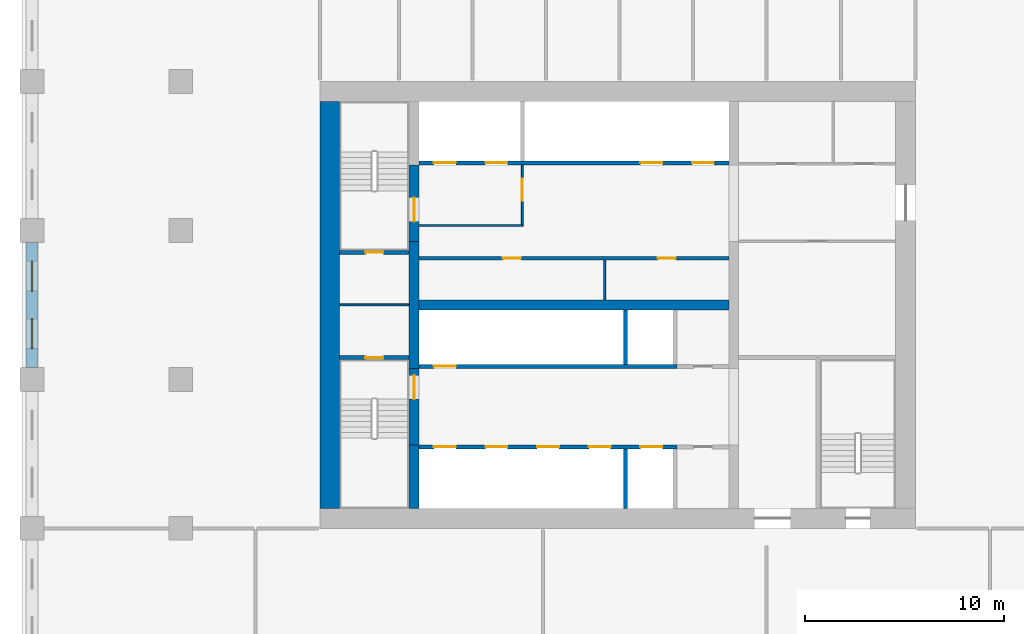
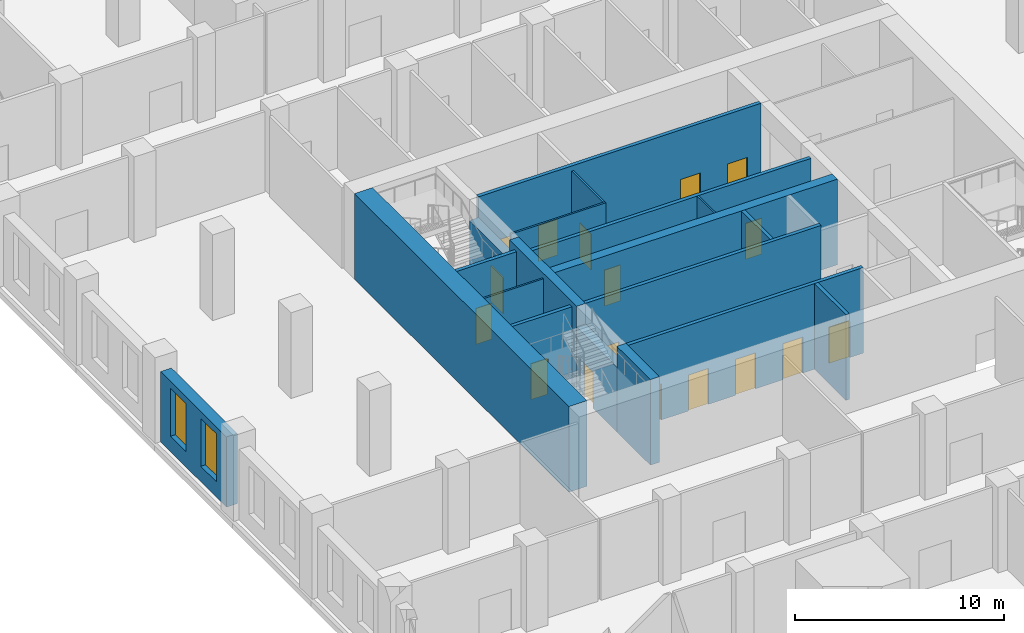
# One storey, part 5 of 32: 19 walls, 17 doors, 2 windows, 19 openings.
"""IFC4 building model written with IfcOpenShell, lengths in metres."""

from ifc_helpers import new_model, si_unit, direction, frame, frame_2d, origin, place, context, subcontext, project, spatial, rectangle, extrude, material, layer, layer_set, type_object, element, fill, save


model = new_model("IFC4")

# Units and contexts
model_context = context("Model", 3, precision=1e-05, world=origin(), true_north=direction((0.0, 1.0)))
body_context = subcontext(model_context, "Body", "Model", "MODEL_VIEW")
ifc_project = project(units=[si_unit("LENGTHUNIT", "METRE"), si_unit("AREAUNIT", "SQUARE_METRE"), si_unit("VOLUMEUNIT", "CUBIC_METRE"), si_unit("PLANEANGLEUNIT", "RADIAN"), si_unit("MASSUNIT", "GRAM", prefix="KILO")], contexts=[model_context])

# Site, building, storey
site_placement = place(None, origin())
site = spatial("IfcSite", under=ifc_project, at=site_placement, CompositionType="ELEMENT")
building_placement = place(site_placement, origin())
building = spatial("IfcBuilding", under=site, at=building_placement, Name="Tamorin Gate", CompositionType="ELEMENT")
storey_placement = place(building_placement, frame((0.0, 0.0, 18.5)))
storey = spatial("IfcBuildingStorey", under=building, at=storey_placement, Name="L03", CompositionType="ELEMENT", Elevation=18.5)

# Wall, openings, doors
ifc_material_1 = material(Name="Concrete C32/40", Category="concrete")
ifc_layer_1 = layer(ifc_material_1, 0.199951171875)
ifc_layer_set_1 = layer_set([ifc_layer_1], Name="Lift lobby face wall 200 EI 120")
wall_type_1 = type_object("IfcWallType", Name="Lift lobby face wall 200 EI 120", PredefinedType="SOLIDWALL", material=ifc_layer_set_1)
wall_1_placement = place(storey_placement, frame((35.0, 64.10009765625, 0.0), z_axis=(0.0, 0.0, 1.0), x_axis=(1.0, 0.0, 0.0)))
wall_1 = element("IfcWall", 1, at=wall_1_placement, inside=storey, type_object=wall_type_1, Name="Lift lobby face wall", PredefinedType="SOLIDWALL", context=body_context, shape_type="SweptSolid", body=[
    extrude(rectangle(XDim=13.0, YDim=0.199951171875, at=frame_2d((6.5, 0.0))), origin(), (0.0, 0.0, 1.0), 5.0),
])
opening_1_placement = place(wall_1_placement, frame((0.75, 0.0, 0.0)))
opening_1 = element("IfcOpeningElement", 2, at=opening_1_placement, cuts=wall_1, Name="Opening LD1", PredefinedType="OPENING", context=body_context, shape_type="SweptSolid", body=[
    extrude(rectangle(XDim=1.10009765625, YDim=2.10009765625, at=frame_2d((0.550048828125, 1.050048828125))), frame((0.0, 0.10986328125, 0.0), z_axis=(0.0, -1.0, 0.0), x_axis=(1.0, 0.0, 0.0)), (0.0, 0.0, 1.0), 0.219970703125),
])
opening_2_placement = place(wall_1_placement, frame((3.35009765625, 0.0, 0.0)))
opening_2 = element("IfcOpeningElement", 3, at=opening_2_placement, cuts=wall_1, Name="Opening LD2", PredefinedType="OPENING", context=body_context, shape_type="SweptSolid", body=[
    extrude(rectangle(XDim=1.10009765625, YDim=2.10009765625, at=frame_2d((0.550048828125, 1.050048828125))), frame((0.0, 0.10986328125, 0.0), z_axis=(0.0, -1.0, 0.0), x_axis=(1.0, 0.0, 0.0)), (0.0, 0.0, 1.0), 0.219970703125),
])
opening_3_placement = place(wall_1_placement, frame((5.949951171875, 0.0, 0.0)))
opening_3 = element("IfcOpeningElement", 4, at=opening_3_placement, cuts=wall_1, Name="Opening LD3", PredefinedType="OPENING", context=body_context, shape_type="SweptSolid", body=[
    extrude(rectangle(XDim=1.10009765625, YDim=2.10009765625, at=frame_2d((0.550048828125, 1.050048828125))), frame((0.0, 0.10986328125, 0.0), z_axis=(0.0, -1.0, 0.0), x_axis=(1.0, 0.0, 0.0)), (0.0, 0.0, 1.0), 0.219970703125),
])
opening_4_placement = place(wall_1_placement, frame((8.550048828125, 0.0, 0.0)))
opening_4 = element("IfcOpeningElement", 5, at=opening_4_placement, cuts=wall_1, Name="Opening LD4", PredefinedType="OPENING", context=body_context, shape_type="SweptSolid", body=[
    extrude(rectangle(XDim=1.10009765625, YDim=2.10009765625, at=frame_2d((0.550048828125, 1.050048828125))), frame((0.0, 0.10986328125, 0.0), z_axis=(0.0, -1.0, 0.0), x_axis=(1.0, 0.0, 0.0)), (0.0, 0.0, 1.0), 0.219970703125),
])
opening_5_placement = place(wall_1_placement, frame((11.14990234375, 0.0, 0.0)))
opening_5 = element("IfcOpeningElement", 6, at=opening_5_placement, cuts=wall_1, Name="Opening LD5", PredefinedType="OPENING", context=body_context, shape_type="SweptSolid", body=[
    extrude(rectangle(XDim=1.10009765625, YDim=2.10009765625, at=frame_2d((0.550048828125, 1.050048828125))), frame((0.0, 0.10986328125, 0.0), z_axis=(0.0, -1.0, 0.0), x_axis=(1.0, 0.0, 0.0)), (0.0, 0.0, 1.0), 0.219970703125),
])
ifc_material_2 = material(Name="Stainless steel sliding door", Category="steel")
door_type_1 = type_object("IfcDoorType", Name="Lift landing door 1100 x 2100 E 90", OperationType="DOUBLE_DOOR_SLIDING", PredefinedType="DOOR", material=ifc_material_2)
door_1_placement = place(opening_1_placement, origin())
door_1 = element("IfcDoor", 7, at=door_1_placement, inside=storey, type_object=door_type_1, Name="LR1 landing door", OperationType="DOUBLE_DOOR_SLIDING", OverallHeight=2.10009765625, OverallWidth=1.10009765625, PredefinedType="DOOR", context=body_context, shape_type="SweptSolid", body=[
    extrude(rectangle(XDim=1.10009765625, YDim=2.10009765625, at=frame_2d((0.550048828125, 1.050048828125))), frame((0.0, 0.02490234375, 0.0), z_axis=(0.0, -1.0, 0.0), x_axis=(1.0, 0.0, 0.0)), (0.0, 0.0, 1.0), 0.050048828125),
])
fill(opening_1, door_1)
door_2_placement = place(opening_2_placement, origin())
door_2 = element("IfcDoor", 8, at=door_2_placement, inside=storey, type_object=door_type_1, Name="LR2 landing door", OperationType="DOUBLE_DOOR_SLIDING", OverallHeight=2.10009765625, OverallWidth=1.10009765625, PredefinedType="DOOR", context=body_context, shape_type="SweptSolid", body=[
    extrude(rectangle(XDim=1.10009765625, YDim=2.10009765625, at=frame_2d((0.550048828125, 1.050048828125))), frame((0.0, 0.02490234375, 0.0), z_axis=(0.0, -1.0, 0.0), x_axis=(1.0, 0.0, 0.0)), (0.0, 0.0, 1.0), 0.050048828125),
])
fill(opening_2, door_2)
door_3_placement = place(opening_3_placement, origin())
door_3 = element("IfcDoor", 9, at=door_3_placement, inside=storey, type_object=door_type_1, Name="LR3 landing door", OperationType="DOUBLE_DOOR_SLIDING", OverallHeight=2.10009765625, OverallWidth=1.10009765625, PredefinedType="DOOR", context=body_context, shape_type="SweptSolid", body=[
    extrude(rectangle(XDim=1.10009765625, YDim=2.10009765625, at=frame_2d((0.550048828125, 1.050048828125))), frame((0.0, 0.02490234375, 0.0), z_axis=(0.0, -1.0, 0.0), x_axis=(1.0, 0.0, 0.0)), (0.0, 0.0, 1.0), 0.050048828125),
])
fill(opening_3, door_3)
door_4_placement = place(opening_4_placement, origin())
door_4 = element("IfcDoor", 10, at=door_4_placement, inside=storey, type_object=door_type_1, Name="LR4 landing door", OperationType="DOUBLE_DOOR_SLIDING", OverallHeight=2.10009765625, OverallWidth=1.10009765625, PredefinedType="DOOR", context=body_context, shape_type="SweptSolid", body=[
    extrude(rectangle(XDim=1.10009765625, YDim=2.10009765625, at=frame_2d((0.550048828125, 1.050048828125))), frame((0.0, 0.02490234375, 0.0), z_axis=(0.0, -1.0, 0.0), x_axis=(1.0, 0.0, 0.0)), (0.0, 0.0, 1.0), 0.050048828125),
])
fill(opening_4, door_4)
door_5_placement = place(opening_5_placement, origin())
door_5 = element("IfcDoor", 11, at=door_5_placement, inside=storey, type_object=door_type_1, Name="LR5 landing door", OperationType="DOUBLE_DOOR_SLIDING", OverallHeight=2.10009765625, OverallWidth=1.10009765625, PredefinedType="DOOR", context=body_context, shape_type="SweptSolid", body=[
    extrude(rectangle(XDim=1.10009765625, YDim=2.10009765625, at=frame_2d((0.550048828125, 1.050048828125))), frame((0.0, 0.02490234375, 0.0), z_axis=(0.0, -1.0, 0.0), x_axis=(1.0, 0.0, 0.0)), (0.0, 0.0, 1.0), 0.050048828125),
])
fill(opening_5, door_5)

# Wall, opening, door
wall_2_placement = place(storey_placement, frame((35.0, 68.14990234375, 0.0), z_axis=(0.0, 0.0, 1.0), x_axis=(1.0, 0.0, 0.0)))
wall_2 = element("IfcWall", 12, at=wall_2_placement, inside=storey, type_object=wall_type_1, Name="Lift lobby face wall", PredefinedType="SOLIDWALL", context=body_context, shape_type="SweptSolid", body=[
    extrude(rectangle(XDim=13.0, YDim=0.199951171875, at=frame_2d((6.5, 0.0))), origin(), (0.0, 0.0, 1.0), 5.0),
])
opening_6_placement = place(wall_2_placement, frame((0.75, 0.0, 0.0)))
opening_6 = element("IfcOpeningElement", 13, at=opening_6_placement, cuts=wall_2, Name="Opening LD6", PredefinedType="OPENING", context=body_context, shape_type="SweptSolid", body=[
    extrude(rectangle(XDim=1.10009765625, YDim=2.10009765625, at=frame_2d((0.550048828125, 1.050048828125))), frame((0.0, 0.10986328125, 0.0), z_axis=(0.0, -1.0, 0.0), x_axis=(1.0, 0.0, 0.0)), (0.0, 0.0, 1.0), 0.219970703125),
])
door_6_placement = place(opening_6_placement, origin())
door_6 = element("IfcDoor", 14, at=door_6_placement, inside=storey, type_object=door_type_1, Name="LR6 landing door", OperationType="DOUBLE_DOOR_SLIDING", OverallHeight=2.10009765625, OverallWidth=1.10009765625, PredefinedType="DOOR", context=body_context, shape_type="SweptSolid", body=[
    extrude(rectangle(XDim=1.10009765625, YDim=2.10009765625, at=frame_2d((0.550048828125, 1.050048828125))), frame((0.0, 0.02490234375, 0.0), z_axis=(0.0, -1.0, 0.0), x_axis=(1.0, 0.0, 0.0)), (0.0, 0.0, 1.0), 0.050048828125),
])
fill(opening_6, door_6)

# Wall, openings, doors
wall_3_placement = place(storey_placement, frame((35.0, 78.39990234375, 0.0), z_axis=(0.0, 0.0, 1.0), x_axis=(1.0, 0.0, 0.0)))
wall_3 = element("IfcWall", 15, at=wall_3_placement, inside=storey, type_object=wall_type_1, Name="Lift lobby face wall", PredefinedType="SOLIDWALL", context=body_context, shape_type="SweptSolid", body=[
    extrude(rectangle(XDim=15.60009765625, YDim=0.199951171875, at=frame_2d((7.800048828125, 0.0))), origin(), (0.0, 0.0, 1.0), 5.0),
])
opening_7_placement = place(wall_3_placement, frame((0.75, 0.0, 0.0)))
opening_7 = element("IfcOpeningElement", 16, at=opening_7_placement, cuts=wall_3, Name="Opening LD17", PredefinedType="OPENING", context=body_context, shape_type="SweptSolid", body=[
    extrude(rectangle(XDim=1.10009765625, YDim=2.10009765625, at=frame_2d((0.550048828125, 1.050048828125))), frame((0.0, 0.10986328125, 0.0), z_axis=(0.0, -1.0, 0.0), x_axis=(1.0, 0.0, 0.0)), (0.0, 0.0, 1.0), 0.219970703125),
])
opening_8_placement = place(wall_3_placement, frame((3.35009765625, 0.0, 0.0)))
opening_8 = element("IfcOpeningElement", 17, at=opening_8_placement, cuts=wall_3, Name="Opening LD18", PredefinedType="OPENING", context=body_context, shape_type="SweptSolid", body=[
    extrude(rectangle(XDim=1.10009765625, YDim=2.10009765625, at=frame_2d((0.550048828125, 1.050048828125))), frame((0.0, 0.10986328125, 0.0), z_axis=(0.0, -1.0, 0.0), x_axis=(1.0, 0.0, 0.0)), (0.0, 0.0, 1.0), 0.219970703125),
])
opening_9_placement = place(wall_3_placement, frame((11.14990234375, 0.0, 0.0)))
opening_9 = element("IfcOpeningElement", 18, at=opening_9_placement, cuts=wall_3, Name="Opening LD21", PredefinedType="OPENING", context=body_context, shape_type="SweptSolid", body=[
    extrude(rectangle(XDim=1.10009765625, YDim=2.10009765625, at=frame_2d((0.550048828125, 1.050048828125))), frame((0.0, 0.10986328125, 0.0), z_axis=(0.0, -1.0, 0.0), x_axis=(1.0, 0.0, 0.0)), (0.0, 0.0, 1.0), 0.219970703125),
])
opening_10_placement = place(wall_3_placement, frame((13.75, 0.0, 0.0)))
opening_10 = element("IfcOpeningElement", 19, at=opening_10_placement, cuts=wall_3, Name="Opening LD22", PredefinedType="OPENING", context=body_context, shape_type="SweptSolid", body=[
    extrude(rectangle(XDim=1.10009765625, YDim=2.10009765625, at=frame_2d((0.550048828125, 1.050048828125))), frame((0.0, 0.10986328125, 0.0), z_axis=(0.0, -1.0, 0.0), x_axis=(1.0, 0.0, 0.0)), (0.0, 0.0, 1.0), 0.219970703125),
])
door_7_placement = place(opening_7_placement, origin())
door_7 = element("IfcDoor", 20, at=door_7_placement, inside=storey, type_object=door_type_1, Name="FF1 landing door", OperationType="DOUBLE_DOOR_SLIDING", OverallHeight=2.10009765625, OverallWidth=1.10009765625, PredefinedType="DOOR", context=body_context, shape_type="SweptSolid", body=[
    extrude(rectangle(XDim=1.10009765625, YDim=2.10009765625, at=frame_2d((0.550048828125, 1.050048828125))), frame((0.0, 0.02490234375, 0.0), z_axis=(0.0, -1.0, 0.0), x_axis=(1.0, 0.0, 0.0)), (0.0, 0.0, 1.0), 0.050048828125),
])
fill(opening_7, door_7)
door_8_placement = place(opening_8_placement, origin())
door_8 = element("IfcDoor", 21, at=door_8_placement, inside=storey, type_object=door_type_1, Name="FF2 landing door", OperationType="DOUBLE_DOOR_SLIDING", OverallHeight=2.10009765625, OverallWidth=1.10009765625, PredefinedType="DOOR", context=body_context, shape_type="SweptSolid", body=[
    extrude(rectangle(XDim=1.10009765625, YDim=2.10009765625, at=frame_2d((0.550048828125, 1.050048828125))), frame((0.0, 0.02490234375, 0.0), z_axis=(0.0, -1.0, 0.0), x_axis=(1.0, 0.0, 0.0)), (0.0, 0.0, 1.0), 0.050048828125),
])
fill(opening_8, door_8)
door_9_placement = place(opening_9_placement, origin())
door_9 = element("IfcDoor", 22, at=door_9_placement, inside=storey, type_object=door_type_1, Name="SV1 landing door", OperationType="DOUBLE_DOOR_SLIDING", OverallHeight=2.10009765625, OverallWidth=1.10009765625, PredefinedType="DOOR", context=body_context, shape_type="SweptSolid", body=[
    extrude(rectangle(XDim=1.10009765625, YDim=2.10009765625, at=frame_2d((0.550048828125, 1.050048828125))), frame((0.0, 0.02490234375, 0.0), z_axis=(0.0, -1.0, 0.0), x_axis=(1.0, 0.0, 0.0)), (0.0, 0.0, 1.0), 0.050048828125),
])
fill(opening_9, door_9)
door_10_placement = place(opening_10_placement, origin())
door_10 = element("IfcDoor", 23, at=door_10_placement, inside=storey, type_object=door_type_1, Name="SV2 landing door", OperationType="DOUBLE_DOOR_SLIDING", OverallHeight=2.10009765625, OverallWidth=1.10009765625, PredefinedType="DOOR", context=body_context, shape_type="SweptSolid", body=[
    extrude(rectangle(XDim=1.10009765625, YDim=2.10009765625, at=frame_2d((0.550048828125, 1.050048828125))), frame((0.0, 0.02490234375, 0.0), z_axis=(0.0, -1.0, 0.0), x_axis=(1.0, 0.0, 0.0)), (0.0, 0.0, 1.0), 0.050048828125),
])
fill(opening_10, door_10)

# Walls
ifc_layer_2 = layer(ifc_material_1, 0.199951171875)
ifc_layer_set_2 = layer_set([ifc_layer_2], Name="Lift shaft wall 200 EI 120")
wall_type_2 = type_object("IfcWallType", Name="Lift shaft wall 200 EI 120", PredefinedType="SOLIDWALL", material=ifc_layer_set_2)
wall_4_placement = place(storey_placement, frame((45.39990234375, 61.0, 0.0), z_axis=(0.0, 0.0, 1.0), x_axis=(0.0, 1.0, 0.0)))
element("IfcWall", 24, at=wall_4_placement, inside=storey, type_object=wall_type_2, Name="Lift shaft wall", PredefinedType="SOLIDWALL", context=body_context, shape_type="SweptSolid", body=[
    extrude(rectangle(XDim=3.0, YDim=0.199951171875, at=frame_2d((1.5, 0.0))), origin(), (0.0, 0.0, 1.0), 5.0),
])
wall_5_placement = place(storey_placement, frame((45.39990234375, 68.25, 0.0), z_axis=(0.0, 0.0, 1.0), x_axis=(0.0, 1.0, 0.0)))
element("IfcWall", 25, at=wall_5_placement, inside=storey, type_object=wall_type_2, Name="Lift shaft wall", PredefinedType="SOLIDWALL", context=body_context, shape_type="SweptSolid", body=[
    extrude(rectangle(XDim=2.75, YDim=0.199951171875, at=frame_2d((1.375, 0.0))), origin(), (0.0, 0.0, 1.0), 5.0),
])
ifc_material_3 = material(Name="Fire-rated gypsum board partition")
ifc_layer_3 = layer(ifc_material_3, 0.10009765625)
ifc_layer_set_3 = layer_set([ifc_layer_3], Name="Lobby wall 100 EI 60")
wall_type_3 = type_object("IfcWallType", Name="Lobby wall 100 EI 60", PredefinedType="PARTITIONING", material=ifc_layer_set_3)
wall_6_placement = place(storey_placement, frame((35.0, 75.25, 0.0), z_axis=(0.0, 0.0, 1.0), x_axis=(1.0, 0.0, 0.0)))
element("IfcWall", 26, at=wall_6_placement, inside=storey, type_object=wall_type_3, Name="Firefighting lobby wall", PredefinedType="PARTITIONING", context=body_context, shape_type="SweptSolid", body=[
    extrude(rectangle(XDim=5.25, YDim=0.10009765625, at=frame_2d((2.625, 0.0))), origin(), (0.0, 0.0, 1.0), 4.699951171875),
])

# Wall, opening, door
wall_7_placement = place(storey_placement, frame((40.199951171875, 75.300048828125, 0.0), z_axis=(0.0, 0.0, 1.0), x_axis=(0.0, 1.0, 0.0)))
wall_7 = element("IfcWall", 27, at=wall_7_placement, inside=storey, type_object=wall_type_3, Name="Firefighting lobby wall", PredefinedType="PARTITIONING", context=body_context, shape_type="SweptSolid", body=[
    extrude(rectangle(XDim=3.0, YDim=0.10009765625, at=frame_2d((1.5, 0.0))), origin(), (0.0, 0.0, 1.0), 4.699951171875),
])
opening_11_placement = place(wall_7_placement, frame((1.199951171875, 0.0, 0.0)))
opening_11 = element("IfcOpeningElement", 28, at=opening_11_placement, cuts=wall_7, Name="Opening DF1", PredefinedType="OPENING", context=body_context, shape_type="SweptSolid", body=[
    extrude(rectangle(XDim=1.10009765625, YDim=2.10009765625, at=frame_2d((0.550048828125, 1.050048828125))), frame((0.0, 0.06005859375, 0.0), z_axis=(0.0, -1.0, 0.0), x_axis=(1.0, 0.0, 0.0)), (0.0, 0.0, 1.0), 0.1201171875),
])
ifc_material_4 = material(Name="Steel fire door", Category="steel")
door_type_2 = type_object("IfcDoorType", Name="Firefighting lobby door 1100 x 2100 EI 90", OperationType="SINGLE_SWING_LEFT", PredefinedType="DOOR", material=ifc_material_4)
door_11_placement = place(opening_11_placement, origin())
door_11 = element("IfcDoor", 29, at=door_11_placement, inside=storey, type_object=door_type_2, Name="Firefighting lobby door", OperationType="SINGLE_SWING_LEFT", OverallHeight=2.10009765625, OverallWidth=1.10009765625, PredefinedType="DOOR", context=body_context, shape_type="SweptSolid", body=[
    extrude(rectangle(XDim=1.10009765625, YDim=2.10009765625, at=frame_2d((0.550048828125, 1.050048828125))), frame((0.0, 0.02490234375, 0.0), z_axis=(0.0, -1.0, 0.0), x_axis=(1.0, 0.0, 0.0)), (0.0, 0.0, 1.0), 0.050048828125),
])
fill(opening_11, door_11)

# Wall, openings, windows
ifc_material_5 = material(Name="Precast concrete C40/50", Category="concrete")
ifc_layer_4 = layer(ifc_material_5, 0.60009765625)
ifc_layer_set_4 = layer_set([ifc_layer_4], Name="Precast concrete C40/50")
wall_type_4 = type_object("IfcWallType", Name="Precast plinth wall 600", PredefinedType="PARTITIONING", material=ifc_layer_set_4)
wall_8_placement = place(storey_placement, frame((15.5, 68.10009765625, 0.0), z_axis=(0.0, 0.0, 1.0), x_axis=(0.0, 1.0, 0.0)))
wall_8 = element("IfcWall", 30, at=wall_8_placement, inside=storey, type_object=wall_type_4, Name="Precast plinth wall 600 L03", PredefinedType="PARTITIONING", context=body_context, shape_type="SweptSolid", body=[
    extrude(rectangle(XDim=6.2998046875, YDim=0.60009765625, at=frame_2d((3.14990234375, 0.0))), origin(), (0.0, 0.0, 1.0), 4.10009765625),
])
opening_12_placement = place(wall_8_placement, frame((0.950927734375, 0.0, 0.89990234375)))
opening_12 = element("IfcOpeningElement", 31, at=opening_12_placement, cuts=wall_8, Name="Opening PWN5", PredefinedType="OPENING", context=body_context, shape_type="SweptSolid", body=[
    extrude(rectangle(XDim=1.5, YDim=2.800048828125, at=frame_2d((0.75, 1.39990234375))), frame((0.0, 0.31005859375, 0.0), z_axis=(0.0, -1.0, 0.0), x_axis=(1.0, 0.0, 0.0)), (0.0, 0.0, 1.0), 0.6201171875),
])
opening_13_placement = place(wall_8_placement, frame((3.84912109375, 0.0, 0.89990234375)))
opening_13 = element("IfcOpeningElement", 32, at=opening_13_placement, cuts=wall_8, Name="Opening PWN5", PredefinedType="OPENING", context=body_context, shape_type="SweptSolid", body=[
    extrude(rectangle(XDim=1.5, YDim=2.800048828125, at=frame_2d((0.75, 1.39990234375))), frame((0.0, 0.31005859375, 0.0), z_axis=(0.0, -1.0, 0.0), x_axis=(1.0, 0.0, 0.0)), (0.0, 0.0, 1.0), 0.6201171875),
])
ifc_material_6 = material(Name="Aluminium and glass", Category="aluminium")
window_type = type_object("IfcWindowType", Name="Plinth window 1500x2800", PartitioningType="DOUBLE_PANEL_VERTICAL", PredefinedType="WINDOW", material=ifc_material_6)
window_1_placement = place(opening_12_placement, origin())
window_1 = element("IfcWindow", 33, at=window_1_placement, inside=storey, type_object=window_type, Name="Plinth window 1500x2800", OverallHeight=2.800048828125, OverallWidth=1.5, PartitioningType="SINGLE_PANEL", PredefinedType="WINDOW", context=body_context, shape_type="SweptSolid", body=[
    extrude(rectangle(XDim=1.5, YDim=2.800048828125, at=frame_2d((0.75, 1.39990234375))), frame((0.0, 0.030029296875, 0.0), z_axis=(0.0, -1.0, 0.0), x_axis=(1.0, 0.0, 0.0)), (0.0, 0.0, 1.0), 0.06005859375),
])
fill(opening_12, window_1)
window_2_placement = place(opening_13_placement, origin())
window_2 = element("IfcWindow", 34, at=window_2_placement, inside=storey, type_object=window_type, Name="Plinth window 1500x2800", OverallHeight=2.800048828125, OverallWidth=1.5, PartitioningType="SINGLE_PANEL", PredefinedType="WINDOW", context=body_context, shape_type="SweptSolid", body=[
    extrude(rectangle(XDim=1.5, YDim=2.800048828125, at=frame_2d((0.75, 1.39990234375))), frame((0.0, 0.030029296875, 0.0), z_axis=(0.0, -1.0, 0.0), x_axis=(1.0, 0.0, 0.0)), (0.0, 0.0, 1.0), 0.06005859375),
])
fill(opening_13, window_2)

# Walls
ifc_material_7 = material(Name="Concrete C80/95", Category="concrete")
ifc_layer_5 = layer(ifc_material_7, 0.5)
ifc_layer_set_5 = layer_set([ifc_layer_5], Name="RC core internal wall 500 C80/95")
wall_type_5 = type_object("IfcWallType", Name="RC core internal wall 500 C80/95", PredefinedType="SHEAR", material=ifc_layer_set_5)
wall_9_placement = place(storey_placement, frame((35.0, 71.25, 0.0), z_axis=(0.0, 0.0, 1.0), x_axis=(1.0, 0.0, 0.0)))
element("IfcWall", 35, at=wall_9_placement, inside=storey, type_object=wall_type_5, Name="Core spine wall L03", PredefinedType="SHEAR", context=body_context, shape_type="SweptSolid", body=[
    extrude(rectangle(XDim=15.60009765625, YDim=0.5, at=frame_2d((7.800048828125, 0.0))), origin(), (0.0, 0.0, 1.0), 5.0),
])
wall_10_placement = place(storey_placement, frame((34.75, 61.0, 0.0), z_axis=(0.0, 0.0, 1.0), x_axis=(0.0, 1.0, 0.0)))
element("IfcWall", 36, at=wall_10_placement, inside=storey, type_object=wall_type_5, Name="Core cross wall L03", PredefinedType="SHEAR", context=body_context, shape_type="SweptSolid", body=[
    extrude(rectangle(XDim=3.199951171875, YDim=0.5, at=frame_2d((1.60009765625, 0.0))), origin(), (0.0, 0.0, 1.0), 5.0),
])
wall_11_placement = place(storey_placement, frame((34.75, 68.050048828125, 0.0), z_axis=(0.0, 0.0, 1.0), x_axis=(0.0, 1.0, 0.0)))
element("IfcWall", 37, at=wall_11_placement, inside=storey, type_object=wall_type_5, Name="Core cross wall L03", PredefinedType="SHEAR", context=body_context, shape_type="SweptSolid", body=[
    extrude(rectangle(XDim=6.39990234375, YDim=0.5, at=frame_2d((3.199951171875, 0.0))), origin(), (0.0, 0.0, 1.0), 5.0),
])
ifc_layer_6 = layer(ifc_material_7, 1.0)
ifc_layer_set_6 = layer_set([ifc_layer_6], Name="RC core wall 1000 C80/95")
wall_type_6 = type_object("IfcWallType", Name="RC core wall 1000 C80/95", PredefinedType="SHEAR", material=ifc_layer_set_6)
wall_12_placement = place(storey_placement, frame((30.5, 61.0, 0.0), z_axis=(0.0, 0.0, 1.0), x_axis=(0.0, 1.0, 0.0)))
element("IfcWall", 38, at=wall_12_placement, inside=storey, type_object=wall_type_6, Name="Core wall L03", PredefinedType="SHEAR", context=body_context, shape_type="SweptSolid", body=[
    extrude(rectangle(XDim=20.5, YDim=1.0, at=frame_2d((10.25, 0.0))), origin(), (0.0, 0.0, 1.0), 5.0),
])
ifc_layer_7 = layer(ifc_material_3, 0.10009765625)
ifc_layer_set_7 = layer_set([ifc_layer_7], Name="Riser partition 100 EI 120")
wall_type_7 = type_object("IfcWallType", Name="Riser partition 100 EI 120", PredefinedType="PARTITIONING", material=ifc_layer_set_7)
wall_13_placement = place(storey_placement, frame((31.0, 71.25, 0.0), z_axis=(0.0, 0.0, 1.0), x_axis=(1.0, 0.0, 0.0)))
element("IfcWall", 39, at=wall_13_placement, inside=storey, type_object=wall_type_7, Name="Riser partition", PredefinedType="PARTITIONING", context=body_context, shape_type="SweptSolid", body=[
    extrude(rectangle(XDim=3.5, YDim=0.10009765625, at=frame_2d((1.75, 0.0))), origin(), (0.0, 0.0, 1.0), 4.699951171875),
])

# Wall, openings, doors
ifc_material_8 = material(Name="Gypsum board partition")
ifc_layer_8 = layer(ifc_material_8, 0.199951171875)
ifc_layer_set_8 = layer_set([ifc_layer_8], Name="Service room face wall 200 EI 60")
wall_type_8 = type_object("IfcWallType", Name="Service room face wall 200 EI 60", PredefinedType="PARTITIONING", material=ifc_layer_set_8)
wall_14_placement = place(storey_placement, frame((35.0, 73.60009765625, 0.0), z_axis=(0.0, 0.0, 1.0), x_axis=(1.0, 0.0, 0.0)))
wall_14 = element("IfcWall", 40, at=wall_14_placement, inside=storey, type_object=wall_type_8, Name="Service room face wall", PredefinedType="PARTITIONING", context=body_context, shape_type="SweptSolid", body=[
    extrude(rectangle(XDim=15.60009765625, YDim=0.199951171875, at=frame_2d((7.800048828125, 0.0))), origin(), (0.0, 0.0, 1.0), 4.699951171875),
])
opening_14_placement = place(wall_14_placement, frame((4.22509765625, 0.0, 0.0)))
opening_14 = element("IfcOpeningElement", 41, at=opening_14_placement, cuts=wall_14, Name="Opening DK1", PredefinedType="OPENING", context=body_context, shape_type="SweptSolid", body=[
    extrude(rectangle(XDim=0.89990234375, YDim=2.10009765625, at=frame_2d((0.449951171875, 1.050048828125))), frame((0.0, 0.10986328125, 0.0), z_axis=(0.0, -1.0, 0.0), x_axis=(1.0, 0.0, 0.0)), (0.0, 0.0, 1.0), 0.219970703125),
])
opening_15_placement = place(wall_14_placement, frame((12.02490234375, 0.0, 0.0)))
opening_15 = element("IfcOpeningElement", 42, at=opening_15_placement, cuts=wall_14, Name="Opening DK1", PredefinedType="OPENING", context=body_context, shape_type="SweptSolid", body=[
    extrude(rectangle(XDim=0.89990234375, YDim=2.10009765625, at=frame_2d((0.449951171875, 1.050048828125))), frame((0.0, 0.10986328125, 0.0), z_axis=(0.0, -1.0, 0.0), x_axis=(1.0, 0.0, 0.0)), (0.0, 0.0, 1.0), 0.219970703125),
])
ifc_material_9 = material(Name="Timber fire door", Category="wood")
door_type_3 = type_object("IfcDoorType", Name="Service room door 900 x 2100 EI 60", OperationType="SINGLE_SWING_LEFT", PredefinedType="DOOR", material=ifc_material_9)
door_12_placement = place(opening_14_placement, origin())
door_12 = element("IfcDoor", 43, at=door_12_placement, inside=storey, type_object=door_type_3, Name="Door Pump room", OperationType="SINGLE_SWING_LEFT", OverallHeight=2.10009765625, OverallWidth=0.89990234375, PredefinedType="DOOR", context=body_context, shape_type="SweptSolid", body=[
    extrude(rectangle(XDim=0.89990234375, YDim=2.10009765625, at=frame_2d((0.449951171875, 1.050048828125))), frame((0.0, 0.02490234375, 0.0), z_axis=(0.0, -1.0, 0.0), x_axis=(1.0, 0.0, 0.0)), (0.0, 0.0, 1.0), 0.050048828125),
])
fill(opening_14, door_12)
door_13_placement = place(opening_15_placement, origin())
door_13 = element("IfcDoor", 44, at=door_13_placement, inside=storey, type_object=door_type_3, Name="Door Security store", OperationType="SINGLE_SWING_RIGHT", OverallHeight=2.10009765625, OverallWidth=0.89990234375, PredefinedType="DOOR", context=body_context, shape_type="SweptSolid", body=[
    extrude(rectangle(XDim=0.89990234375, YDim=2.10009765625, at=frame_2d((0.449951171875, 1.050048828125))), frame((0.0, 0.02490234375, 0.0), z_axis=(0.0, -1.0, 0.0), x_axis=(1.0, 0.0, 0.0)), (0.0, 0.0, 1.0), 0.050048828125),
])
fill(opening_15, door_13)

# Wall
ifc_layer_9 = layer(ifc_material_8, 0.10009765625)
ifc_layer_set_9 = layer_set([ifc_layer_9], Name="Service room partition 100 EI 60")
wall_type_9 = type_object("IfcWallType", Name="Service room partition 100 EI 60", PredefinedType="PARTITIONING", material=ifc_layer_set_9)
wall_15_placement = place(storey_placement, frame((44.35009765625, 71.5, 0.0), z_axis=(0.0, 0.0, 1.0), x_axis=(0.0, 1.0, 0.0)))
element("IfcWall", 45, at=wall_15_placement, inside=storey, type_object=wall_type_9, Name="Service room partition", PredefinedType="PARTITIONING", context=body_context, shape_type="SweptSolid", body=[
    extrude(rectangle(XDim=2.0, YDim=0.10009765625, at=frame_2d((1.0, 0.0))), origin(), (0.0, 0.0, 1.0), 4.699951171875),
])

# Wall, opening, door
ifc_material_10 = material(Name="Concrete C40/50", Category="concrete")
ifc_layer_10 = layer(ifc_material_10, 0.199951171875)
ifc_layer_set_10 = layer_set([ifc_layer_10], Name="Stair enclosure wall 200 EI 120 C40/50")
wall_type_10 = type_object("IfcWallType", Name="Stair enclosure wall 200 EI 120 C40/50", PredefinedType="SOLIDWALL", material=ifc_layer_set_10)
wall_16_placement = place(storey_placement, frame((31.0, 68.60009765625, 0.0), z_axis=(0.0, 0.0, 1.0), x_axis=(1.0, 0.0, 0.0)))
wall_16 = element("IfcWall", 46, at=wall_16_placement, inside=storey, type_object=wall_type_10, Name="Stair enclosure wall", PredefinedType="SOLIDWALL", context=body_context, shape_type="SweptSolid", body=[
    extrude(rectangle(XDim=3.5, YDim=0.199951171875, at=frame_2d((1.75, 0.0))), origin(), (0.0, 0.0, 1.0), 4.699951171875),
])
opening_16_placement = place(wall_16_placement, frame((1.300048828125, 0.0, 0.0)))
opening_16 = element("IfcOpeningElement", 47, at=opening_16_placement, cuts=wall_16, Name="Opening DR1", PredefinedType="OPENING", context=body_context, shape_type="SweptSolid", body=[
    extrude(rectangle(XDim=0.89990234375, YDim=2.10009765625, at=frame_2d((0.449951171875, 1.050048828125))), frame((0.0, 0.10986328125, 0.0), z_axis=(0.0, -1.0, 0.0), x_axis=(1.0, 0.0, 0.0)), (0.0, 0.0, 1.0), 0.219970703125),
])
door_type_4 = type_object("IfcDoorType", Name="Riser access door 900 x 2100 EI 120", OperationType="SINGLE_SWING_LEFT", PredefinedType="DOOR", material=ifc_material_4)
door_14_placement = place(opening_16_placement, origin())
door_14 = element("IfcDoor", 48, at=door_14_placement, inside=storey, type_object=door_type_4, Name="Electrical riser door", OperationType="SINGLE_SWING_LEFT", OverallHeight=2.10009765625, OverallWidth=0.89990234375, PredefinedType="DOOR", context=body_context, shape_type="SweptSolid", body=[
    extrude(rectangle(XDim=0.89990234375, YDim=2.10009765625, at=frame_2d((0.449951171875, 1.050048828125))), frame((0.0, 0.02490234375, 0.0), z_axis=(0.0, -1.0, 0.0), x_axis=(1.0, 0.0, 0.0)), (0.0, 0.0, 1.0), 0.050048828125),
])
fill(opening_16, door_14)

wall_17_placement = place(storey_placement, frame((31.0, 73.89990234375, 0.0), z_axis=(0.0, 0.0, 1.0), x_axis=(1.0, 0.0, 0.0)))
wall_17 = element("IfcWall", 49, at=wall_17_placement, inside=storey, type_object=wall_type_10, Name="Stair enclosure wall", PredefinedType="SOLIDWALL", context=body_context, shape_type="SweptSolid", body=[
    extrude(rectangle(XDim=3.5, YDim=0.199951171875, at=frame_2d((1.75, 0.0))), origin(), (0.0, 0.0, 1.0), 4.699951171875),
])
opening_17_placement = place(wall_17_placement, frame((1.300048828125, 0.0, 0.0)))
opening_17 = element("IfcOpeningElement", 50, at=opening_17_placement, cuts=wall_17, Name="Opening DR1", PredefinedType="OPENING", context=body_context, shape_type="SweptSolid", body=[
    extrude(rectangle(XDim=0.89990234375, YDim=2.10009765625, at=frame_2d((0.449951171875, 1.050048828125))), frame((0.0, 0.10986328125, 0.0), z_axis=(0.0, -1.0, 0.0), x_axis=(1.0, 0.0, 0.0)), (0.0, 0.0, 1.0), 0.219970703125),
])
door_15_placement = place(opening_17_placement, origin())
door_15 = element("IfcDoor", 51, at=door_15_placement, inside=storey, type_object=door_type_4, Name="Communications riser door", OperationType="SINGLE_SWING_RIGHT", OverallHeight=2.10009765625, OverallWidth=0.89990234375, PredefinedType="DOOR", context=body_context, shape_type="SweptSolid", body=[
    extrude(rectangle(XDim=0.89990234375, YDim=2.10009765625, at=frame_2d((0.449951171875, 1.050048828125))), frame((0.0, 0.02490234375, 0.0), z_axis=(0.0, -1.0, 0.0), x_axis=(1.0, 0.0, 0.0)), (0.0, 0.0, 1.0), 0.050048828125),
])
fill(opening_17, door_15)

ifc_layer_11 = layer(ifc_material_1, 0.5)
ifc_layer_set_11 = layer_set([ifc_layer_11], Name="Stair lobby infill wall 500 EI 120")
wall_type_11 = type_object("IfcWallType", Name="Stair lobby infill wall 500 EI 120", PredefinedType="SOLIDWALL", material=ifc_layer_set_11)
wall_18_placement = place(storey_placement, frame((34.75, 64.199951171875, 0.0), z_axis=(0.0, 0.0, 1.0), x_axis=(0.0, 1.0, 0.0)))
wall_18 = element("IfcWall", 52, at=wall_18_placement, inside=storey, type_object=wall_type_11, Name="Stair lobby infill wall", PredefinedType="SOLIDWALL", context=body_context, shape_type="SweptSolid", body=[
    extrude(rectangle(XDim=3.85009765625, YDim=0.5, at=frame_2d((1.925048828125, 0.0))), origin(), (0.0, 0.0, 1.0), 3.800048828125),
])
opening_18_placement = place(wall_18_placement, frame((2.300048828125, 0.0, 0.0)))
opening_18 = element("IfcOpeningElement", 53, at=opening_18_placement, cuts=wall_18, Name="Opening DS1", PredefinedType="OPENING", context=body_context, shape_type="SweptSolid", body=[
    extrude(rectangle(XDim=1.199951171875, YDim=2.10009765625, at=frame_2d((0.60009765625, 1.050048828125))), frame((0.0, 0.260009765625, 0.0), z_axis=(0.0, -1.0, 0.0), x_axis=(1.0, 0.0, 0.0)), (0.0, 0.0, 1.0), 0.52001953125),
])
door_type_5 = type_object("IfcDoorType", Name="Stair door 1200 x 2100 EI 90", OperationType="SINGLE_SWING_LEFT", PredefinedType="DOOR", material=ifc_material_4)
door_16_placement = place(opening_18_placement, origin())
door_16 = element("IfcDoor", 54, at=door_16_placement, inside=storey, type_object=door_type_5, Name="ST1 door", OperationType="SINGLE_SWING_LEFT", OverallHeight=2.10009765625, OverallWidth=1.199951171875, PredefinedType="DOOR", context=body_context, shape_type="SweptSolid", body=[
    extrude(rectangle(XDim=1.199951171875, YDim=2.10009765625, at=frame_2d((0.60009765625, 1.050048828125))), frame((0.0, 0.02490234375, 0.0), z_axis=(0.0, -1.0, 0.0), x_axis=(1.0, 0.0, 0.0)), (0.0, 0.0, 1.0), 0.050048828125),
])
fill(opening_18, door_16)

wall_19_placement = place(storey_placement, frame((34.75, 74.449951171875, 0.0), z_axis=(0.0, 0.0, 1.0), x_axis=(0.0, 1.0, 0.0)))
wall_19 = element("IfcWall", 55, at=wall_19_placement, inside=storey, type_object=wall_type_11, Name="Stair lobby infill wall", PredefinedType="SOLIDWALL", context=body_context, shape_type="SweptSolid", body=[
    extrude(rectangle(XDim=3.85009765625, YDim=0.5, at=frame_2d((1.925048828125, 0.0))), origin(), (0.0, 0.0, 1.0), 3.800048828125),
])
opening_19_placement = place(wall_19_placement, frame((1.0, 0.0, 0.0)))
opening_19 = element("IfcOpeningElement", 56, at=opening_19_placement, cuts=wall_19, Name="Opening DS1", PredefinedType="OPENING", context=body_context, shape_type="SweptSolid", body=[
    extrude(rectangle(XDim=1.199951171875, YDim=2.10009765625, at=frame_2d((0.60009765625, 1.050048828125))), frame((0.0, 0.260009765625, 0.0), z_axis=(0.0, -1.0, 0.0), x_axis=(1.0, 0.0, 0.0)), (0.0, 0.0, 1.0), 0.52001953125),
])
door_17_placement = place(opening_19_placement, origin())
door_17 = element("IfcDoor", 57, at=door_17_placement, inside=storey, type_object=door_type_5, Name="ST2 door", OperationType="SINGLE_SWING_RIGHT", OverallHeight=2.10009765625, OverallWidth=1.199951171875, PredefinedType="DOOR", context=body_context, shape_type="SweptSolid", body=[
    extrude(rectangle(XDim=1.199951171875, YDim=2.10009765625, at=frame_2d((0.60009765625, 1.050048828125))), frame((0.0, 0.02490234375, 0.0), z_axis=(0.0, -1.0, 0.0), x_axis=(1.0, 0.0, 0.0)), (0.0, 0.0, 1.0), 0.050048828125),
])
fill(opening_19, door_17)

save(model, "model.ifc")
